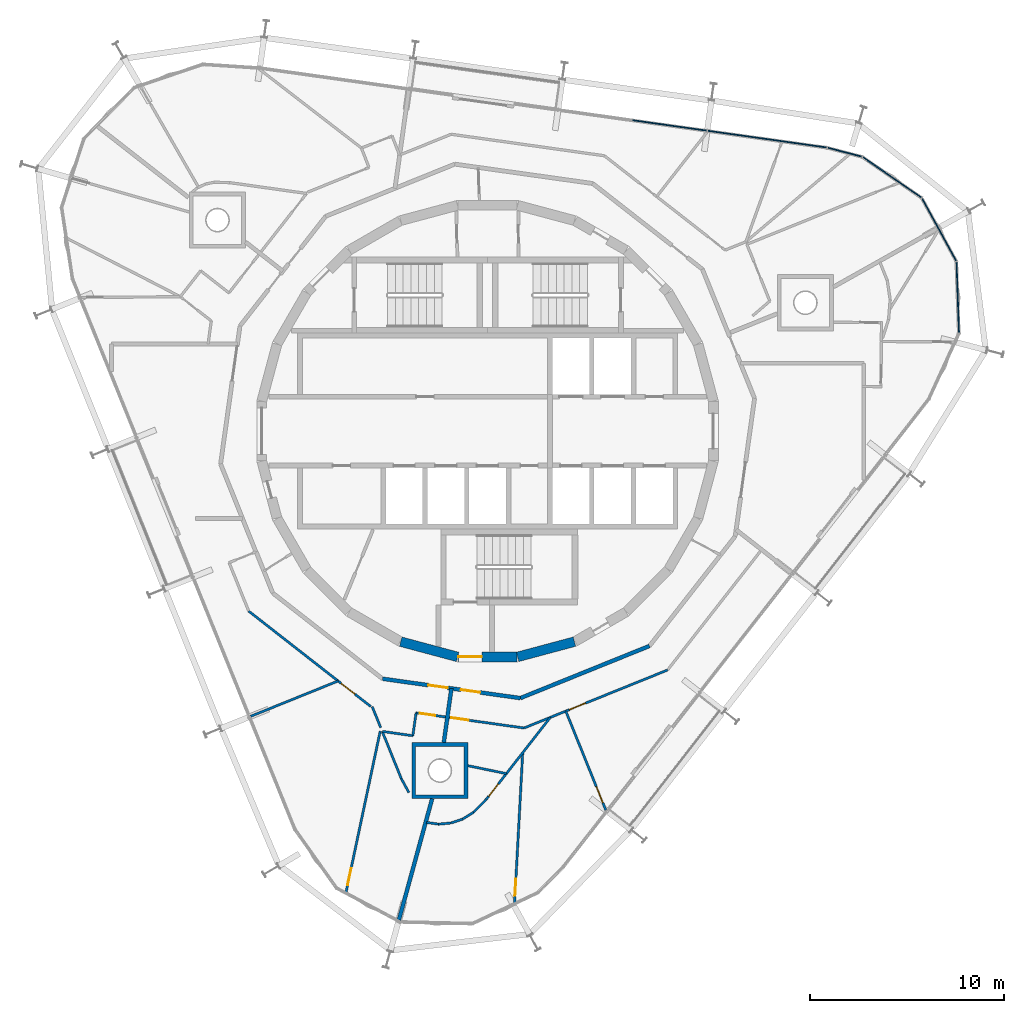
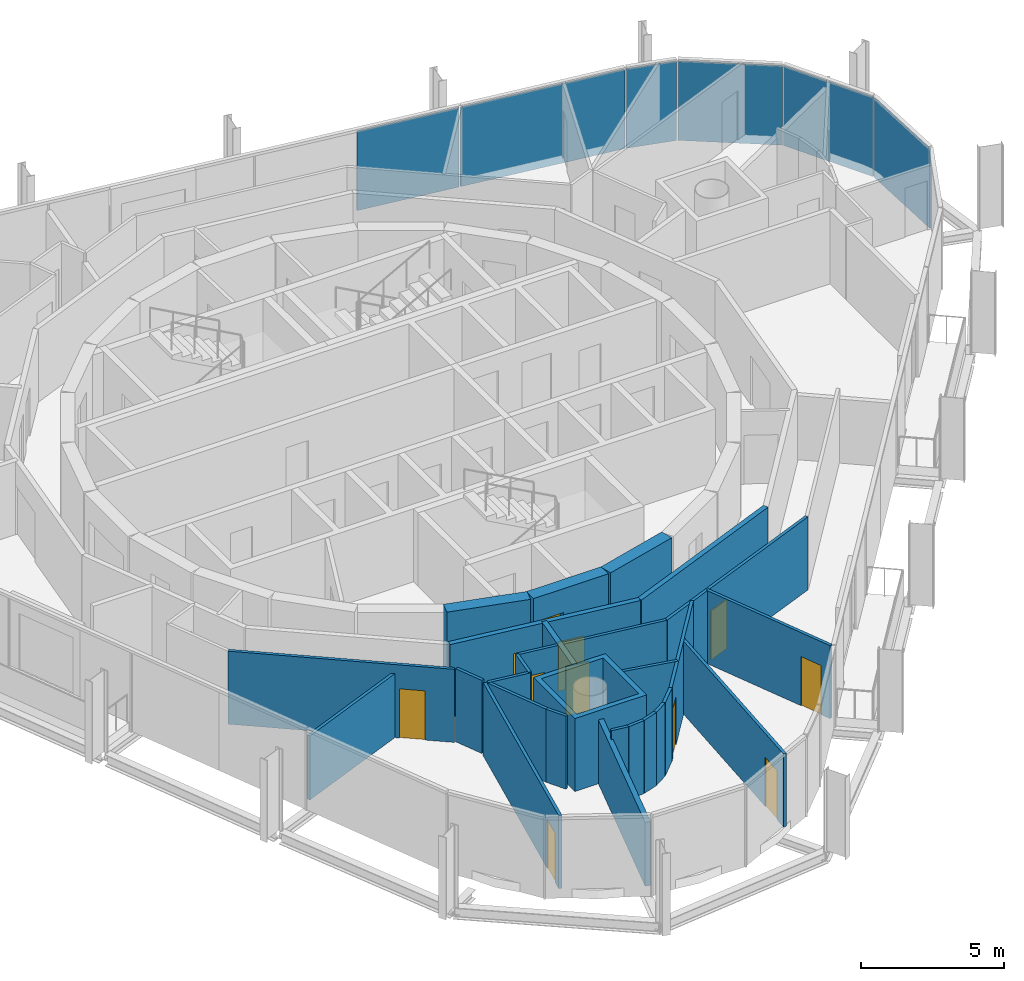
# One storey, part 9 of 15: 27 walls, 11 doors, 6 plates, 11 openings, 2 elements without a shape of their own.
"""IFC4 building model written with IfcOpenShell, lengths in metres."""

from ifc_helpers import new_model, si_unit, direction, frame, frame_2d, origin, origin_2d, place, context, subcontext, project, spatial, polyline, rectangle, outline, extrude, material, layer, layer_set, type_object, element, fill, aggregate, save


model = new_model("IFC4")

# Units and contexts
model_context = context("Model", 3, precision=1e-05, world=origin(), true_north=direction((0.0, 1.0)))
body_context = subcontext(model_context, "Body", "Model", "MODEL_VIEW")
ifc_project = project(units=[si_unit("LENGTHUNIT", "METRE"), si_unit("AREAUNIT", "SQUARE_METRE"), si_unit("VOLUMEUNIT", "CUBIC_METRE"), si_unit("PLANEANGLEUNIT", "RADIAN"), si_unit("MASSUNIT", "GRAM", prefix="KILO")], contexts=[model_context])

# Site, building, storey
site_placement = place(None, origin())
site = spatial("IfcSite", under=ifc_project, at=site_placement, CompositionType="ELEMENT")
building_placement = place(site_placement, origin())
building = spatial("IfcBuilding", under=site, at=building_placement, Name="Spindle Arch Residences", CompositionType="ELEMENT")
storey_placement = place(building_placement, frame((0.0, 0.0, 354.0)))
storey = spatial("IfcBuildingStorey", under=building, at=storey_placement, Name="L91", CompositionType="ELEMENT", Elevation=354.0)

# Curtain wall, plates
ifc_material_1 = material(Name="Aluminium bronze unitised frame with tinted glass", Category="aluminium")
ifc_layer_1 = layer(ifc_material_1, 0.159912109375)
ifc_layer_set_1 = layer_set([ifc_layer_1], Name="CW-D corner wall on the fillet arcs")
curtain_wall_type_1 = type_object("IfcCurtainWallType", Name="CW-D corner wall on the fillet arcs", PredefinedType="NOTDEFINED", material=ifc_layer_set_1)
curtain_wall_1_placement = place(storey_placement, origin())
curtain_wall_1 = element("IfcCurtainWall", 1, at=curtain_wall_1_placement, inside=storey, type_object=curtain_wall_type_1, Name="CW-D L91 run 1", PredefinedType="NOTDEFINED")
ifc_material_2 = material(Name="Tinted double glazing over aluminium faced non-combustible spandrel zone (K0)", Category="aluminium")
ifc_layer_2 = layer(ifc_material_2, 0.06005859375)
ifc_layer_set_2 = layer_set([ifc_layer_2], Name="Unitised glass panel with E 60 spandrel zone")
plate_type = type_object("IfcPlateType", Name="Unitised glass panel with E 60 spandrel zone", PredefinedType="CURTAIN_PANEL", material=ifc_layer_set_2)
plate_1_placement = place(storey_placement, frame((24.2470703125, 6.896240234375, -0.3798828125), z_axis=(0.0, 0.0, 1.0), x_axis=(-0.034899497139, 0.999390827004, 0.0)))
plate_1 = element("IfcPlate", 2, at=plate_1_placement, type_object=plate_type, Name="CW-D unit 02", PredefinedType="CURTAIN_PANEL", context=body_context, shape_type="SweptSolid", body=[
    extrude(rectangle(XDim=3.666748046875, YDim=0.06005859375, at=origin_2d()), origin(), (0.0, 0.0, 1.0), 3.3798828125),
])
plate_2_placement = place(storey_placement, frame((23.2880859375, 10.3935546875, -0.3798828125), z_axis=(0.0, 0.0, 1.0), x_axis=(-0.479713114021, 0.877425397533, 0.0)))
plate_2 = element("IfcPlate", 3, at=plate_2_placement, type_object=plate_type, Name="CW-D unit 03", PredefinedType="CURTAIN_PANEL", context=body_context, shape_type="SweptSolid", body=[
    extrude(rectangle(XDim=3.666748046875, YDim=0.06005859375, at=origin_2d()), origin(), (0.0, 0.0, 1.0), 3.3798828125),
])
plate_3_placement = place(storey_placement, frame((20.86181640625, 13.08837890625, -0.3798828125), z_axis=(0.0, 0.0, 1.0), x_axis=(-0.822475094841, 0.568801123739, 0.0)))
plate_3 = element("IfcPlate", 4, at=plate_3_placement, type_object=plate_type, Name="CW-D unit 04", PredefinedType="CURTAIN_PANEL", context=body_context, shape_type="SweptSolid", body=[
    extrude(rectangle(XDim=3.666748046875, YDim=0.06005859375, at=origin_2d()), origin(), (0.0, 0.0, 1.0), 3.3798828125),
])
plate_4_placement = place(storey_placement, frame((18.421630859375, 14.3857421875, -0.3798828125), z_axis=(0.0, 0.0, 1.0), x_axis=(-0.967415218326, 0.25319517245, 0.0)))
plate_4 = element("IfcPlate", 5, at=plate_4_placement, type_object=plate_type, Name="CW-D unit 05", PredefinedType="CURTAIN_PANEL", context=body_context, shape_type="SweptSolid", body=[
    extrude(rectangle(XDim=1.816162109375, YDim=0.06005859375, at=origin_2d()), origin(), (0.0, 0.0, 1.0), 3.3798828125),
])
plate_5_placement = place(storey_placement, frame((14.420166015625, 15.05810546875, -0.3798828125), z_axis=(0.0, 0.0, 1.0), x_axis=(-0.990268068742, 0.13917310096, 0.0)))
plate_5 = element("IfcPlate", 6, at=plate_5_placement, type_object=plate_type, Name="CW-D unit 06", PredefinedType="CURTAIN_PANEL", context=body_context, shape_type="SweptSolid", body=[
    extrude(rectangle(XDim=6.188720703125, YDim=0.06005859375, at=origin_2d()), origin(), (0.0, 0.0, 1.0), 3.3798828125),
])
aggregate(curtain_wall_1, [plate_1, plate_2, plate_3, plate_4, plate_5])

# Curtain wall, plate
ifc_material_3 = material(Name="Aluminium bronze unitised frame with tinted glass", Category="aluminium")
ifc_layer_3 = layer(ifc_material_3, 0.159912109375)
ifc_layer_set_3 = layer_set([ifc_layer_3], Name="CW-C typical residential unitised wall")
curtain_wall_type_2 = type_object("IfcCurtainWallType", Name="CW-C typical residential unitised wall", PredefinedType="NOTDEFINED", material=ifc_layer_set_3)
curtain_wall_2_placement = place(storey_placement, origin())
curtain_wall_2 = element("IfcCurtainWall", 7, at=curtain_wall_2_placement, inside=storey, type_object=curtain_wall_type_2, Name="CW-C L91 run 2", PredefinedType="NOTDEFINED")
plate_6_placement = place(storey_placement, frame((9.388916015625, 15.76513671875, -0.3798828125), z_axis=(0.0, 0.0, 1.0), x_axis=(-0.990268068742, 0.13917310096, 0.0)))
plate_6 = element("IfcPlate", 8, at=plate_6_placement, type_object=plate_type, Name="CW-C unit 05A", PredefinedType="CURTAIN_PANEL", context=body_context, shape_type="SweptSolid", body=[
    extrude(rectangle(XDim=3.852783203125, YDim=0.06005859375, at=origin_2d()), origin(), (0.0, 0.0, 1.0), 3.3798828125),
])
aggregate(curtain_wall_2, [plate_6])

# Walls
ifc_material_4 = material(Name="Concrete C50/60", Category="concrete")
ifc_layer_4 = layer(ifc_material_4, 0.5)
ifc_layer_set_4 = layer_set([ifc_layer_4], Name="Core outline wall 500")
wall_type_1 = type_object("IfcWallType", Name="Core outline wall 500", PredefinedType="SHEAR", material=ifc_layer_set_4)
for number, where, z_axis, x_axis, name in (
    (9, (1.5498046875, -11.642822265625, 0.0), (0.0, 0.0, 1.0), (0.965948410781, 0.258734743916, 0.0), "Core outline wall 1"),
    (10, (-4.479248046875, -10.858154296875, 0.0), (0.0, 0.0, 1.0), (0.965948410781, -0.258734743916, 0.0), "Core outline wall 23"),
):
    element("IfcWall", number, at=place(storey_placement, frame(where, z_axis=z_axis, x_axis=x_axis)), inside=storey, type_object=wall_type_1, Name=name, PredefinedType="SHEAR", context=body_context, shape_type="SweptSolid", body=[
        extrude(rectangle(XDim=3.03271484375, YDim=0.5, at=frame_2d((1.516357421875, 0.0))), origin(), (0.0, 0.0, 1.0), 3.1201171875),
    ])

# Wall, opening, door
wall_1_placement = place(storey_placement, frame((-1.516357421875, -11.647216796875, 0.0), z_axis=(0.0, 0.0, 1.0), x_axis=(1.0, 0.0, 0.0)))
wall_1 = element("IfcWall", 11, at=wall_1_placement, inside=storey, type_object=wall_type_1, Name="Core outline wall 24", PredefinedType="SHEAR", context=body_context, shape_type="SweptSolid", body=[
    extrude(rectangle(XDim=3.03271484375, YDim=0.5, at=frame_2d((1.516357421875, 0.0))), origin(), (0.0, 0.0, 1.0), 3.1201171875),
])
opening_1_placement = place(wall_1_placement, frame((0.016357421875, 0.0, 0.0)))
opening_1 = element("IfcOpeningElement", 12, at=opening_1_placement, cuts=wall_1, Name="Opening R9C0-AD03", PredefinedType="OPENING", context=body_context, shape_type="SweptSolid", body=[
    extrude(rectangle(XDim=1.199951171875, YDim=2.10009765625, at=frame_2d((0.60009765625, 1.050048828125))), frame((0.0, 0.260009765625, 0.0), z_axis=(0.0, -1.0, 0.0), x_axis=(1.0, 0.0, 0.0)), (0.0, 0.0, 1.0), 0.52001953125),
])
ifc_material_5 = material(Name="Steel, fire-resisting door", Category="steel")
door_type_1 = type_object("IfcDoorType", Name="Stair airlock door 1200x2100", OperationType="SINGLE_SWING_LEFT", PredefinedType="DOOR", material=ifc_material_5)
door_1_placement = place(opening_1_placement, origin())
door_1 = element("IfcDoor", 13, at=door_1_placement, inside=storey, type_object=door_type_1, Name="Stair airlock door R9C0-AD03", OperationType="SINGLE_SWING_RIGHT", OverallHeight=2.10009765625, OverallWidth=1.199951171875, PredefinedType="DOOR", context=body_context, shape_type="SweptSolid", body=[
    extrude(rectangle(XDim=1.199951171875, YDim=2.10009765625, at=frame_2d((0.60009765625, 1.050048828125))), frame((0.0, 0.02490234375, 0.0), z_axis=(0.0, -1.0, 0.0), x_axis=(1.0, 0.0, 0.0)), (0.0, 0.0, 1.0), 0.050048828125),
])
fill(opening_1, door_1)

# Wall, openings, doors
ifc_material_6 = material(Name="Calcium silicate block, plastered")
ifc_layer_5 = layer(ifc_material_6, 0.199951171875)
ifc_layer_set_5 = layer_set([ifc_layer_5], Name="Corridor wall 200")
wall_type_2 = type_object("IfcWallType", Name="Corridor wall 200", PredefinedType="STANDARD", material=ifc_layer_set_5)
wall_2_placement = place(storey_placement, frame((-5.42041015625, -12.77001953125, 0.0), z_axis=(0.0, 0.0, 1.0), x_axis=(0.990270565508, -0.139155334385, 0.0)))
wall_2 = element("IfcWall", 14, at=wall_2_placement, inside=storey, type_object=wall_type_2, Name="Corridor wall R9C0-W015", PredefinedType="STANDARD", context=body_context, shape_type="SweptSolid", body=[
    extrude(rectangle(XDim=7.180908203125, YDim=0.199951171875, at=frame_2d((3.59033203125, 0.0))), origin(), (0.0, 0.0, 1.0), 3.1201171875),
])
opening_2_placement = place(wall_2_placement, frame((2.390380859375, 0.0, 0.0)))
opening_2 = element("IfcOpeningElement", 15, at=opening_2_placement, cuts=wall_2, Name="Opening R9C0-FD05", PredefinedType="OPENING", context=body_context, shape_type="SweptSolid", body=[
    extrude(rectangle(XDim=1.0, YDim=2.10009765625, at=frame_2d((0.5, 1.050048828125))), frame((0.0, 0.10986328125, 0.0), z_axis=(0.0, -1.0, 0.0), x_axis=(1.0, 0.0, 0.0)), (0.0, 0.0, 1.0), 0.219970703125),
])
opening_3_placement = place(wall_2_placement, frame((4.090576171875, 0.0, 0.0)))
opening_3 = element("IfcOpeningElement", 16, at=opening_3_placement, cuts=wall_2, Name="Opening R9C0-FD06", PredefinedType="OPENING", context=body_context, shape_type="SweptSolid", body=[
    extrude(rectangle(XDim=1.0, YDim=2.10009765625, at=frame_2d((0.5, 1.050048828125))), frame((0.0, 0.10986328125, 0.0), z_axis=(0.0, -1.0, 0.0), x_axis=(1.0, 0.0, 0.0)), (0.0, 0.0, 1.0), 0.219970703125),
])
ifc_material_7 = material(Name="Timber, fire-resisting door set", Category="wood")
door_type_2 = type_object("IfcDoorType", Name="Flat entrance door 1000x2100", OperationType="NOTDEFINED", PredefinedType="DOOR", material=ifc_material_7)
door_2_placement = place(opening_2_placement, origin())
door_2 = element("IfcDoor", 17, at=door_2_placement, inside=storey, type_object=door_type_2, Name="Flat entrance door R9C0-FD05", OperationType="SINGLE_SWING_RIGHT", OverallHeight=2.10009765625, OverallWidth=1.0, PredefinedType="DOOR", context=body_context, shape_type="SweptSolid", body=[
    extrude(rectangle(XDim=1.0, YDim=2.10009765625, at=frame_2d((0.5, 1.050048828125))), frame((0.0, 0.02490234375, 0.0), z_axis=(0.0, -1.0, 0.0), x_axis=(1.0, 0.0, 0.0)), (0.0, 0.0, 1.0), 0.050048828125),
])
fill(opening_2, door_2)
door_3_placement = place(opening_3_placement, origin())
door_3 = element("IfcDoor", 18, at=door_3_placement, inside=storey, type_object=door_type_2, Name="Flat entrance door R9C0-FD06", OperationType="SINGLE_SWING_RIGHT", OverallHeight=2.10009765625, OverallWidth=1.0, PredefinedType="DOOR", context=body_context, shape_type="SweptSolid", body=[
    extrude(rectangle(XDim=1.0, YDim=2.10009765625, at=frame_2d((0.5, 1.050048828125))), frame((0.0, 0.02490234375, 0.0), z_axis=(0.0, -1.0, 0.0), x_axis=(1.0, 0.0, 0.0)), (0.0, 0.0, 1.0), 0.050048828125),
])
fill(opening_3, door_3)

# Wall
wall_3_placement = place(storey_placement, frame((1.690673828125, -13.769287109375, 0.0), z_axis=(0.0, 0.0, 1.0), x_axis=(0.92717916932, 0.374618189599, 0.0)))
element("IfcWall", 19, at=wall_3_placement, inside=storey, type_object=wall_type_2, Name="Corridor wall R9C0-W016", PredefinedType="STANDARD", context=body_context, shape_type="SweptSolid", body=[
    extrude(rectangle(XDim=7.18115234375, YDim=0.199951171875, at=frame_2d((3.590576171875, 0.0))), origin(), (0.0, 0.0, 1.0), 3.1201171875),
])

# Wall, opening, door
ifc_material_8 = material(Name="Plasterboard on steel studs", Category="steel")
ifc_layer_6 = layer(ifc_material_8, 0.1201171875)
ifc_layer_set_6 = layer_set([ifc_layer_6], Name="Flat partition 120")
wall_type_3 = type_object("IfcWallType", Name="Flat partition 120", PredefinedType="PARTITIONING", material=ifc_layer_set_6)
wall_4_placement = place(storey_placement, frame((-12.3193359375, -9.283447265625, 0.0), z_axis=(0.0, 0.0, 1.0), x_axis=(0.788000268464, -0.61567489546, 0.0)))
wall_4 = element("IfcWall", 20, at=wall_4_placement, inside=storey, type_object=wall_type_3, Name="Flat partition R9C0-W071", PredefinedType="PARTITIONING", context=body_context, shape_type="SweptSolid", body=[
    extrude(rectangle(XDim=7.98486328125, YDim=0.1201171875, at=frame_2d((3.992431640625, 0.0))), origin(), (0.0, 0.0, 1.0), 3.1201171875),
])
opening_4_placement = place(wall_4_placement, frame((6.05126953125, 0.0, 0.0)))
opening_4 = element("IfcOpeningElement", 21, at=opening_4_placement, cuts=wall_4, Name="Opening R9C0-ID15", PredefinedType="OPENING", context=body_context, shape_type="SweptSolid", body=[
    extrude(rectangle(XDim=0.89990234375, YDim=2.10009765625, at=frame_2d((0.449951171875, 1.050048828125))), frame((0.0, 0.070068359375, 0.0), z_axis=(0.0, -1.0, 0.0), x_axis=(1.0, 0.0, 0.0)), (0.0, 0.0, 1.0), 0.14013671875),
])
ifc_material_9 = material(Name="Timber door set", Category="wood")
door_type_3 = type_object("IfcDoorType", Name="Room door 900x2100", OperationType="NOTDEFINED", PredefinedType="DOOR", material=ifc_material_9)
door_4_placement = place(opening_4_placement, origin())
door_4 = element("IfcDoor", 22, at=door_4_placement, inside=storey, type_object=door_type_3, Name="Room door R9C0-ID15", OperationType="SINGLE_SWING_RIGHT", OverallHeight=2.10009765625, OverallWidth=0.89990234375, PredefinedType="DOOR", context=body_context, shape_type="SweptSolid", body=[
    extrude(rectangle(XDim=0.89990234375, YDim=2.10009765625, at=frame_2d((0.449951171875, 1.050048828125))), frame((0.0, 0.02490234375, 0.0), z_axis=(0.0, -1.0, 0.0), x_axis=(1.0, 0.0, 0.0)), (0.0, 0.0, 1.0), 0.050048828125),
])
fill(opening_4, door_4)

# Walls
wall_5_placement = place(storey_placement, frame((-5.9482421875, -14.21044921875, 0.0), z_axis=(0.0, 0.0, 1.0), x_axis=(0.374601530156, -0.927185900241, 0.0)))
element("IfcWall", 23, at=wall_5_placement, inside=storey, type_object=wall_type_3, Name="Flat partition R9C0-W072", PredefinedType="PARTITIONING", context=body_context, shape_type="SweptSolid", body=[
    extrude(rectangle(XDim=1.166015625, YDim=0.1201171875, at=frame_2d((0.5830078125, 0.0))), origin(), (0.0, 0.0, 1.0), 3.1201171875),
])
wall_6_placement = place(storey_placement, frame((-5.4326171875, -15.486572265625, 0.0), z_axis=(0.0, 0.0, 1.0), x_axis=(0.990268451053, -0.139170380644, 0.0)))
element("IfcWall", 24, at=wall_6_placement, inside=storey, type_object=wall_type_3, Name="Flat partition R9C0-W073", PredefinedType="PARTITIONING", context=body_context, shape_type="SweptSolid", body=[
    extrude(rectangle(XDim=1.5947265625, YDim=0.1201171875, at=frame_2d((0.79736328125, 0.0))), origin(), (0.0, 0.0, 1.0), 3.1201171875),
])
wall_7_placement = place(storey_placement, frame((-3.853515625, -15.70849609375, 0.0), z_axis=(0.0, 0.0, 1.0), x_axis=(0.139298773474, 0.99025039849, 0.0)))
element("IfcWall", 25, at=wall_7_placement, inside=storey, type_object=wall_type_3, Name="Flat partition R9C0-W074", PredefinedType="PARTITIONING", context=body_context, shape_type="SweptSolid", body=[
    extrude(rectangle(XDim=1.19189453125, YDim=0.1201171875, at=frame_2d((0.595947265625, 0.0))), origin(), (0.0, 0.0, 1.0), 3.1201171875),
])

# Wall, openings, doors
wall_8_placement = place(storey_placement, frame((-3.6875, -14.5283203125, 0.0), z_axis=(0.0, 0.0, 1.0), x_axis=(0.990273413633, -0.139135064782, 0.0)))
wall_8 = element("IfcWall", 26, at=wall_8_placement, inside=storey, type_object=wall_type_3, Name="Flat partition R9C0-W075", PredefinedType="PARTITIONING", context=body_context, shape_type="SweptSolid", body=[
    extrude(rectangle(XDim=5.6220703125, YDim=0.1201171875, at=frame_2d((2.81103515625, 0.0))), origin(), (0.0, 0.0, 1.0), 3.1201171875),
])
opening_5_placement = place(wall_8_placement, frame((0.199951171875, 0.0, 0.0)))
opening_5 = element("IfcOpeningElement", 27, at=opening_5_placement, cuts=wall_8, Name="Opening R9C0-BD05", PredefinedType="OPENING", context=body_context, shape_type="SweptSolid", body=[
    extrude(rectangle(XDim=0.800048828125, YDim=2.10009765625, at=frame_2d((0.39990234375, 1.050048828125))), frame((0.0, 0.070068359375, 0.0), z_axis=(0.0, -1.0, 0.0), x_axis=(1.0, 0.0, 0.0)), (0.0, 0.0, 1.0), 0.14013671875),
])
opening_6_placement = place(wall_8_placement, frame((1.829833984375, 0.0, 0.0)))
opening_6 = element("IfcOpeningElement", 28, at=opening_6_placement, cuts=wall_8, Name="Opening R9C0-ID17", PredefinedType="OPENING", context=body_context, shape_type="SweptSolid", body=[
    extrude(rectangle(XDim=0.89990234375, YDim=2.10009765625, at=frame_2d((0.449951171875, 1.050048828125))), frame((0.0, 0.070068359375, 0.0), z_axis=(0.0, -1.0, 0.0), x_axis=(1.0, 0.0, 0.0)), (0.0, 0.0, 1.0), 0.14013671875),
])
ifc_material_10 = material(Name="Timber door set", Category="wood")
door_type_4 = type_object("IfcDoorType", Name="Bathroom door 800x2100", OperationType="NOTDEFINED", PredefinedType="DOOR", material=ifc_material_10)
door_5_placement = place(opening_5_placement, origin())
door_5 = element("IfcDoor", 29, at=door_5_placement, inside=storey, type_object=door_type_4, Name="Bathroom door R9C0-BD05", OperationType="SINGLE_SWING_RIGHT", OverallHeight=2.10009765625, OverallWidth=0.800048828125, PredefinedType="DOOR", context=body_context, shape_type="SweptSolid", body=[
    extrude(rectangle(XDim=0.800048828125, YDim=2.10009765625, at=frame_2d((0.39990234375, 1.050048828125))), frame((0.0, 0.02490234375, 0.0), z_axis=(0.0, -1.0, 0.0), x_axis=(1.0, 0.0, 0.0)), (0.0, 0.0, 1.0), 0.050048828125),
])
fill(opening_5, door_5)
door_6_placement = place(opening_6_placement, origin())
door_6 = element("IfcDoor", 30, at=door_6_placement, inside=storey, type_object=door_type_3, Name="Room door R9C0-ID17", OperationType="SINGLE_SWING_RIGHT", OverallHeight=2.10009765625, OverallWidth=0.89990234375, PredefinedType="DOOR", context=body_context, shape_type="SweptSolid", body=[
    extrude(rectangle(XDim=0.89990234375, YDim=2.10009765625, at=frame_2d((0.449951171875, 1.050048828125))), frame((0.0, 0.02490234375, 0.0), z_axis=(0.0, -1.0, 0.0), x_axis=(1.0, 0.0, 0.0)), (0.0, 0.0, 1.0), 0.050048828125),
])
fill(opening_6, door_6)

# Wall, opening, door
wall_9_placement = place(storey_placement, frame((-7.305419921875, -23.81494140625, 0.0), z_axis=(0.0, 0.0, 1.0), x_axis=(0.207366409306, 0.978263345062, 0.0)))
wall_9 = element("IfcWall", 31, at=wall_9_placement, inside=storey, type_object=wall_type_3, Name="Flat partition R9C0-W077", PredefinedType="PARTITIONING", context=body_context, shape_type="SweptSolid", body=[
    extrude(rectangle(XDim=8.528564453125, YDim=0.1201171875, at=frame_2d((4.26416015625, 0.0))), origin(), (0.0, 0.0, 1.0), 3.1201171875),
])
opening_7_placement = place(wall_9_placement, frame((0.39990234375, 0.0, 0.0)))
opening_7 = element("IfcOpeningElement", 32, at=opening_7_placement, cuts=wall_9, Name="Opening R9C0-ID16", PredefinedType="OPENING", context=body_context, shape_type="SweptSolid", body=[
    extrude(rectangle(XDim=0.89990234375, YDim=2.10009765625, at=frame_2d((0.449951171875, 1.050048828125))), frame((0.0, 0.070068359375, 0.0), z_axis=(0.0, -1.0, 0.0), x_axis=(1.0, 0.0, 0.0)), (0.0, 0.0, 1.0), 0.14013671875),
])
door_7_placement = place(opening_7_placement, origin())
door_7 = element("IfcDoor", 33, at=door_7_placement, inside=storey, type_object=door_type_3, Name="Room door R9C0-ID16", OperationType="SINGLE_SWING_RIGHT", OverallHeight=2.10009765625, OverallWidth=0.89990234375, PredefinedType="DOOR", context=body_context, shape_type="SweptSolid", body=[
    extrude(rectangle(XDim=0.89990234375, YDim=2.10009765625, at=frame_2d((0.449951171875, 1.050048828125))), frame((0.0, 0.02490234375, 0.0), z_axis=(0.0, -1.0, 0.0), x_axis=(1.0, 0.0, 0.0)), (0.0, 0.0, 1.0), 0.050048828125),
])
fill(opening_7, door_7)

# Walls
wall_10_placement = place(storey_placement, frame((-4.05859375, -18.637939453125, 0.0), z_axis=(0.0, 0.0, 1.0), x_axis=(-0.479488268542, 0.877548289458, 0.0)))
element("IfcWall", 34, at=wall_10_placement, inside=storey, type_object=wall_type_3, Name="Flat partition R9C0-W078", PredefinedType="PARTITIONING", context=body_context, shape_type="SweptSolid", body=[
    extrude(rectangle(XDim=0.806640625, YDim=0.1201171875, at=frame_2d((0.4033203125, 0.0))), origin(), (0.0, 0.0, 1.0), 3.1201171875),
])
wall_11_placement = place(storey_placement, frame((-4.4453125, -17.93017578125, 0.0), z_axis=(0.0, 0.0, 1.0), x_axis=(-0.374614676827, 0.927180588616, 0.0)))
element("IfcWall", 35, at=wall_11_placement, inside=storey, type_object=wall_type_3, Name="Flat partition R9C0-W079", PredefinedType="PARTITIONING", context=body_context, shape_type="SweptSolid", body=[
    extrude(rectangle(XDim=2.635498046875, YDim=0.1201171875, at=frame_2d((1.31787109375, 0.0))), origin(), (0.0, 0.0, 1.0), 3.1201171875),
])

# Wall, opening, door
wall_12_placement = place(storey_placement, frame((1.8798828125, -15.310546875, 0.0), z_axis=(0.0, 0.0, 1.0), x_axis=(0.927184866592, 0.374604088557, 0.0)))
wall_12 = element("IfcWall", 36, at=wall_12_placement, inside=storey, type_object=wall_type_3, Name="Flat partition R9C0-W080", PredefinedType="PARTITIONING", context=body_context, shape_type="SweptSolid", body=[
    extrude(rectangle(XDim=7.985107421875, YDim=0.1201171875, at=frame_2d((3.99267578125, 0.0))), origin(), (0.0, 0.0, 1.0), 3.1201171875),
])
opening_8_placement = place(wall_12_placement, frame((2.52392578125, 0.0, 0.0)))
opening_8 = element("IfcOpeningElement", 37, at=opening_8_placement, cuts=wall_12, Name="Opening R9C0-ID18", PredefinedType="OPENING", context=body_context, shape_type="SweptSolid", body=[
    extrude(rectangle(XDim=0.89990234375, YDim=2.10009765625, at=frame_2d((0.449951171875, 1.050048828125))), frame((0.0, 0.070068359375, 0.0), z_axis=(0.0, -1.0, 0.0), x_axis=(1.0, 0.0, 0.0)), (0.0, 0.0, 1.0), 0.14013671875),
])
door_8_placement = place(opening_8_placement, origin())
door_8 = element("IfcDoor", 38, at=door_8_placement, inside=storey, type_object=door_type_3, Name="Room door R9C0-ID18", OperationType="SINGLE_SWING_LEFT", OverallHeight=2.10009765625, OverallWidth=0.89990234375, PredefinedType="DOOR", context=body_context, shape_type="SweptSolid", body=[
    extrude(rectangle(XDim=0.89990234375, YDim=2.10009765625, at=frame_2d((0.449951171875, 1.050048828125))), frame((0.0, 0.02490234375, 0.0), z_axis=(0.0, -1.0, 0.0), x_axis=(1.0, 0.0, 0.0)), (0.0, 0.0, 1.0), 0.050048828125),
])
fill(opening_8, door_8)

# Walls
wall_13_placement = place(storey_placement, frame((-3.16015625, -20.17919921875, 0.0), z_axis=(0.0, 0.0, 1.0), x_axis=(0.990266409014, -0.139184910023, 0.0)))
element("IfcWall", 39, at=wall_13_placement, inside=storey, type_object=wall_type_3, Name="Flat partition R9C0-W082", PredefinedType="PARTITIONING", context=body_context, shape_type="SweptSolid", body=[
    extrude(rectangle(XDim=0.64208984375, YDim=0.1201171875, at=frame_2d((0.321044921875, 0.0))), origin(), (0.0, 0.0, 1.0), 3.1201171875),
])
for number, where, z_axis, x_axis, name in (
    (40, (-2.5244140625, -20.2685546875, 0.0), (0.0, 0.0, 1.0), (0.995684886436, 0.09279874419, 0.0), "Flat partition R9C0-W083"),
    (41, (-1.88525390625, -20.208984375, 0.0), (0.0, 0.0, 1.0), (0.947459141742, 0.319876811804, 0.0), "Flat partition R9C0-W084"),
    (42, (-1.277099609375, -20.003662109375, 0.0), (0.0, 0.0, 1.0), (0.847848685825, 0.530238253943, 0.0), "Flat partition R9C0-W085"),
):
    element("IfcWall", number, at=place(storey_placement, frame(where, z_axis=z_axis, x_axis=x_axis)), inside=storey, type_object=wall_type_3, Name=name, PredefinedType="PARTITIONING", context=body_context, shape_type="SweptSolid", body=[
        extrude(rectangle(XDim=0.641845703125, YDim=0.1201171875, at=frame_2d((0.32080078125, 0.0))), origin(), (0.0, 0.0, 1.0), 3.1201171875),
    ])
wall_14_placement = place(storey_placement, frame((-0.73291015625, -19.663330078125, 0.0), z_axis=(0.0, 0.0, 1.0), x_axis=(0.702968734621, 0.711220752049, 0.0)))
element("IfcWall", 43, at=wall_14_placement, inside=storey, type_object=wall_type_3, Name="Flat partition R9C0-W086", PredefinedType="PARTITIONING", context=body_context, shape_type="SweptSolid", body=[
    extrude(rectangle(XDim=0.94677734375, YDim=0.1201171875, at=frame_2d((0.473388671875, 0.0))), origin(), (0.0, 0.0, 1.0), 3.1201171875),
])

# Wall, opening, door
wall_15_placement = place(storey_placement, frame((-0.0673828125, -18.989990234375, 0.0), z_axis=(0.0, 0.0, 1.0), x_axis=(0.615678487989, 0.787997461562, 0.0)))
wall_15 = element("IfcWall", 44, at=wall_15_placement, inside=storey, type_object=wall_type_3, Name="Flat partition R9C0-W087", PredefinedType="PARTITIONING", context=body_context, shape_type="SweptSolid", body=[
    extrude(rectangle(XDim=5.364013671875, YDim=0.1201171875, at=frame_2d((2.68212890625, 0.0))), origin(), (0.0, 0.0, 1.0), 3.1201171875),
])
opening_9_placement = place(wall_15_placement, frame((0.199951171875, 0.0, 0.0)))
opening_9 = element("IfcOpeningElement", 45, at=opening_9_placement, cuts=wall_15, Name="Opening R9C0-BD06", PredefinedType="OPENING", context=body_context, shape_type="SweptSolid", body=[
    extrude(rectangle(XDim=0.800048828125, YDim=2.10009765625, at=frame_2d((0.39990234375, 1.050048828125))), frame((0.0, 0.070068359375, 0.0), z_axis=(0.0, -1.0, 0.0), x_axis=(1.0, 0.0, 0.0)), (0.0, 0.0, 1.0), 0.14013671875),
])
door_9_placement = place(opening_9_placement, origin())
door_9 = element("IfcDoor", 46, at=door_9_placement, inside=storey, type_object=door_type_4, Name="Bathroom door R9C0-BD06", OperationType="SINGLE_SWING_RIGHT", OverallHeight=2.10009765625, OverallWidth=0.800048828125, PredefinedType="DOOR", context=body_context, shape_type="SweptSolid", body=[
    extrude(rectangle(XDim=0.800048828125, YDim=2.10009765625, at=frame_2d((0.39990234375, 1.050048828125))), frame((0.0, 0.02490234375, 0.0), z_axis=(0.0, -1.0, 0.0), x_axis=(1.0, 0.0, 0.0)), (0.0, 0.0, 1.0), 0.050048828125),
])
fill(opening_9, door_9)

# Wall
wall_16_placement = place(storey_placement, frame((0.968994140625, -17.663330078125, 0.0), z_axis=(0.0, 0.0, 1.0), x_axis=(-0.979358667558, 0.202130156776, 0.0)))
element("IfcWall", 47, at=wall_16_placement, inside=storey, type_object=wall_type_3, Name="Flat partition R9C0-W088", PredefinedType="PARTITIONING", context=body_context, shape_type="SweptSolid", body=[
    extrude(rectangle(XDim=2.020751953125, YDim=0.1201171875, at=frame_2d((1.01025390625, 0.0))), origin(), (0.0, 0.0, 1.0), 3.1201171875),
])

# Wall, opening, door
wall_17_placement = place(storey_placement, frame((1.3857421875, -24.47119140625, 0.0), z_axis=(0.0, 0.0, 1.0), x_axis=(0.053855287289, 0.998548750954, 0.0)))
wall_17 = element("IfcWall", 48, at=wall_17_placement, inside=storey, type_object=wall_type_3, Name="Flat partition R9C0-W089", PredefinedType="PARTITIONING", context=body_context, shape_type="SweptSolid", body=[
    extrude(rectangle(XDim=7.89697265625, YDim=0.1201171875, at=frame_2d((3.948486328125, 0.0))), origin(), (0.0, 0.0, 1.0), 3.1201171875),
])
opening_10_placement = place(wall_17_placement, frame((0.5, 0.0, 0.0)))
opening_10 = element("IfcOpeningElement", 49, at=opening_10_placement, cuts=wall_17, Name="Opening R9C0-ID20", PredefinedType="OPENING", context=body_context, shape_type="SweptSolid", body=[
    extrude(rectangle(XDim=0.89990234375, YDim=2.10009765625, at=frame_2d((0.449951171875, 1.050048828125))), frame((0.0, 0.070068359375, 0.0), z_axis=(0.0, -1.0, 0.0), x_axis=(1.0, 0.0, 0.0)), (0.0, 0.0, 1.0), 0.14013671875),
])
door_10_placement = place(opening_10_placement, origin())
door_10 = element("IfcDoor", 50, at=door_10_placement, inside=storey, type_object=door_type_3, Name="Room door R9C0-ID20", OperationType="SINGLE_SWING_LEFT", OverallHeight=2.10009765625, OverallWidth=0.89990234375, PredefinedType="DOOR", context=body_context, shape_type="SweptSolid", body=[
    extrude(rectangle(XDim=0.89990234375, YDim=2.10009765625, at=frame_2d((0.449951171875, 1.050048828125))), frame((0.0, 0.02490234375, 0.0), z_axis=(0.0, -1.0, 0.0), x_axis=(1.0, 0.0, 0.0)), (0.0, 0.0, 1.0), 0.050048828125),
])
fill(opening_10, door_10)

wall_18_placement = place(storey_placement, frame((6.097412109375, -19.5458984375, 0.0), z_axis=(0.0, 0.0, 1.0), x_axis=(-0.374591330213, 0.927190021155, 0.0)))
wall_18 = element("IfcWall", 51, at=wall_18_placement, inside=storey, type_object=wall_type_3, Name="Flat partition R9C0-W090", PredefinedType="PARTITIONING", context=body_context, shape_type="SweptSolid", body=[
    extrude(rectangle(XDim=5.506591796875, YDim=0.1201171875, at=frame_2d((2.75341796875, 0.0))), origin(), (0.0, 0.0, 1.0), 3.1201171875),
])
opening_11_placement = place(wall_18_placement, frame((0.39990234375, 0.0, 0.0)))
opening_11 = element("IfcOpeningElement", 52, at=opening_11_placement, cuts=wall_18, Name="Opening R9C0-ID19", PredefinedType="OPENING", context=body_context, shape_type="SweptSolid", body=[
    extrude(rectangle(XDim=0.89990234375, YDim=2.10009765625, at=frame_2d((0.449951171875, 1.050048828125))), frame((0.0, 0.070068359375, 0.0), z_axis=(0.0, -1.0, 0.0), x_axis=(1.0, 0.0, 0.0)), (0.0, 0.0, 1.0), 0.14013671875),
])
door_11_placement = place(opening_11_placement, origin())
door_11 = element("IfcDoor", 53, at=door_11_placement, inside=storey, type_object=door_type_3, Name="Room door R9C0-ID19", OperationType="SINGLE_SWING_LEFT", OverallHeight=2.10009765625, OverallWidth=0.89990234375, PredefinedType="DOOR", context=body_context, shape_type="SweptSolid", body=[
    extrude(rectangle(XDim=0.89990234375, YDim=2.10009765625, at=frame_2d((0.449951171875, 1.050048828125))), frame((0.0, 0.02490234375, 0.0), z_axis=(0.0, -1.0, 0.0), x_axis=(1.0, 0.0, 0.0)), (0.0, 0.0, 1.0), 0.050048828125),
])
fill(opening_11, door_11)

# Walls
ifc_material_11 = material(Name="Plasterboard on steel studs", Category="steel")
ifc_layer_7 = layer(ifc_material_11, 0.1201171875)
ifc_layer_set_7 = layer_set([ifc_layer_7], Name="Flat partition 120 under beam 2730")
wall_type_4 = type_object("IfcWallType", Name="Flat partition 120 under beam 2730", PredefinedType="PARTITIONING", material=ifc_layer_set_7)
wall_19_placement = place(storey_placement, frame((-12.218505859375, -14.7080078125, 0.0), z_axis=(0.0, 0.0, 1.0), x_axis=(0.927176471086, 0.374624867655, 0.0)))
element("IfcWall", 54, at=wall_19_placement, inside=storey, type_object=wall_type_4, Name="Flat partition R9C0-W076", PredefinedType="PARTITIONING", context=body_context, shape_type="SweptSolid", body=[
    extrude(rectangle(XDim=4.8642578125, YDim=0.1201171875, at=frame_2d((2.43212890625, 0.0))), origin(), (0.0, 0.0, 1.0), 2.72998046875),
])
ifc_material_12 = material(Name="Calcium silicate block, plastered")
ifc_layer_8 = layer(ifc_material_12, 0.199951171875)
ifc_layer_set_8 = layer_set([ifc_layer_8], Name="Flat party wall 200")
wall_type_5 = type_object("IfcWallType", Name="Flat party wall 200", PredefinedType="STANDARD", material=ifc_layer_set_8)
wall_20_placement = place(storey_placement, frame((-2.25634765625, -16.0546875, 0.0), z_axis=(0.0, 0.0, 1.0), x_axis=(0.139148428478, 0.990271535919, 0.0)))
element("IfcWall", 55, at=wall_20_placement, inside=storey, type_object=wall_type_5, Name="Flat party wall R9C0-W028", PredefinedType="STANDARD", context=body_context, shape_type="SweptSolid", body=[
    extrude(rectangle(XDim=2.8125, YDim=0.199951171875, at=frame_2d((1.40625, 0.0))), origin(), (0.0, 0.0, 1.0), 3.1201171875),
])
ifc_material_13 = material(Name="Calcium silicate block, plastered")
ifc_layer_9 = layer(ifc_material_13, 0.199951171875)
ifc_layer_set_9 = layer_set([ifc_layer_9], Name="Flat party wall 200 under beam 2730")
wall_type_6 = type_object("IfcWallType", Name="Flat party wall 200 under beam 2730", PredefinedType="STANDARD", material=ifc_layer_set_9)
wall_21_placement = place(storey_placement, frame((-4.573974609375, -25.209716796875, 0.0), z_axis=(0.0, 0.0, 1.0), x_axis=(0.264579024648, 0.964364007892, 0.0)))
element("IfcWall", 56, at=wall_21_placement, inside=storey, type_object=wall_type_6, Name="Flat party wall R9C0-W029", PredefinedType="STANDARD", context=body_context, shape_type="SweptSolid", body=[
    extrude(rectangle(XDim=6.486083984375, YDim=0.199951171875, at=frame_2d((3.2431640625, 0.0))), origin(), (0.0, 0.0, 1.0), 2.72998046875),
])
ifc_material_14 = material(Name="Calcium silicate block, plastered")
ifc_layer_10 = layer(ifc_material_14, 0.199951171875)
ifc_layer_set_10 = layer_set([ifc_layer_10], Name="Mega-column casing wall 200")
wall_type_7 = type_object("IfcWallType", Name="Mega-column casing wall 200", PredefinedType="STANDARD", material=ifc_layer_set_10)
wall_22_placement = place(storey_placement, origin())
element("IfcWall", 57, at=wall_22_placement, inside=storey, type_object=wall_type_7, Name="Mega-column casing wall R9C0-WC03", PredefinedType="STANDARD", context=body_context, shape_type="SweptSolid", body=[
    extrude(outline(polyline([(-1.010009765625, -16.0546875), (-1.010009765625, -18.954833984375), (-3.91015625, -18.954833984375), (-3.91015625, -16.0546875), (-1.010009765625, -16.0546875)]), holes=[polyline([(-3.710205078125, -18.7548828125), (-1.210205078125, -18.7548828125), (-1.210205078125, -16.2548828125), (-3.710205078125, -16.2548828125), (-3.710205078125, -18.7548828125)])]), origin(), (0.0, 0.0, 1.0), 3.1201171875),
])

save(model, "model.ifc")
